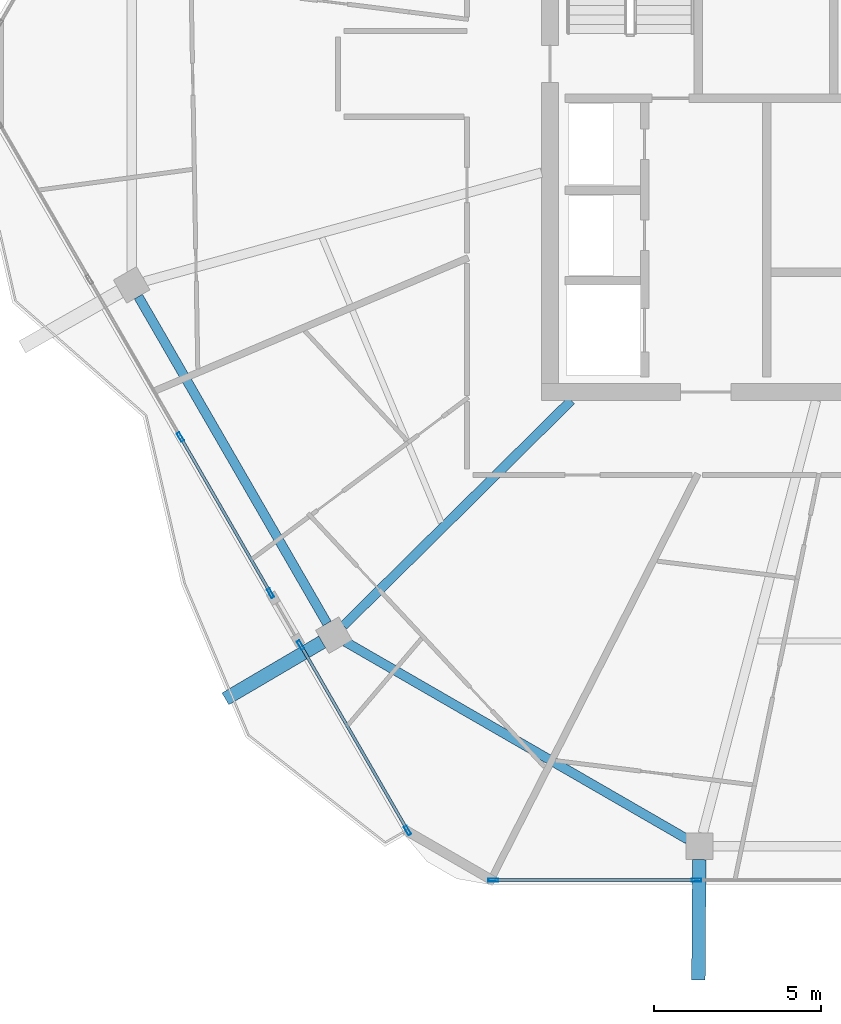
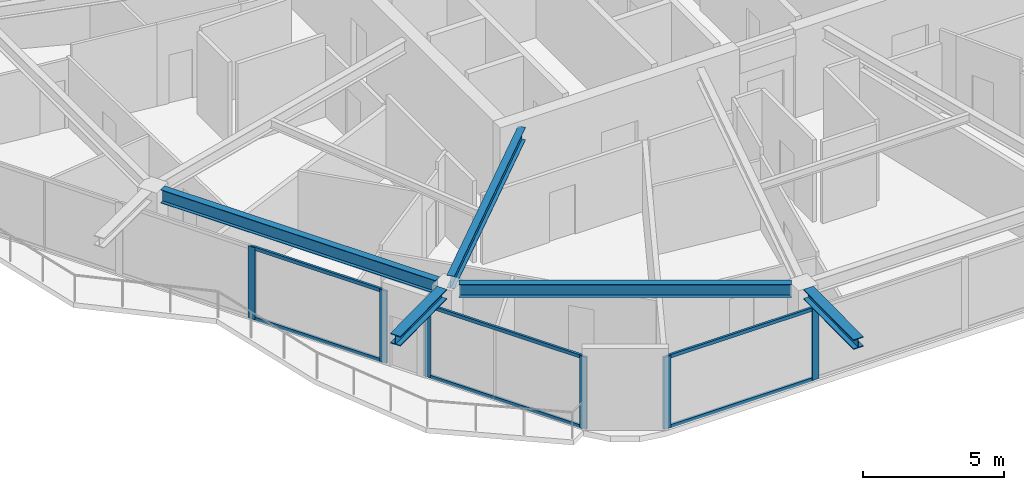
# One storey, part 2 of 21: 12 members, 5 beams, 3 elements without a shape of their own.
"""IFC4 building model written with IfcOpenShell, lengths in metres."""

from ifc_helpers import new_model, si_unit, direction, frame, origin, origin_2d, place, context, subcontext, project, spatial, hollow_rectangle, i_section, extrude, material, material_profile, profile_set, type_object, element, aggregate, save


model = new_model("IFC4")

# Units and contexts
model_context = context("Model", 3, precision=1e-05, world=origin(), true_north=direction((0.0, 1.0)))
body_context = subcontext(model_context, "Body", "Model", "MODEL_VIEW")
ifc_project = project(units=[si_unit("LENGTHUNIT", "METRE"), si_unit("AREAUNIT", "SQUARE_METRE"), si_unit("VOLUMEUNIT", "CUBIC_METRE"), si_unit("PLANEANGLEUNIT", "RADIAN"), si_unit("MASSUNIT", "GRAM", prefix="KILO")], contexts=[model_context])

# Site, building, storey
site_placement = place(None, origin())
site = spatial("IfcSite", under=ifc_project, at=site_placement, CompositionType="ELEMENT")
building_placement = place(site_placement, origin())
building = spatial("IfcBuilding", under=site, at=building_placement, Name="Zuhravey Tower", CompositionType="ELEMENT")
storey_placement = place(building_placement, frame((0.0, 0.0, 319.60009765625)))
storey = spatial("IfcBuildingStorey", under=building, at=storey_placement, Name="L81", CompositionType="ELEMENT", Elevation=319.60009765625)

# Curtain wall, members
ifc_material_1 = material(Name="Thermally broken anodised aluminium", Category="aluminium")
curtain_wall_type = type_object("IfcCurtainWallType", Name="Zone 3-4 High-Rise Curtain Wall CW4", PredefinedType="NOTDEFINED", material=ifc_material_1)
curtain_wall_1_placement = place(storey_placement, origin())
curtain_wall_1 = element("IfcCurtainWall", 1, at=curtain_wall_1_placement, inside=storey, type_object=curtain_wall_type, Name="L81 CW4 CW-L81-F5-1", PredefinedType="NOTDEFINED")
ifc_material_2 = material(Name="Anodised aluminium", Category="aluminium")
ifc_material_profile_1 = material_profile(ifc_material_2, hollow_rectangle(XDim=0.090087890625, YDim=0.284912109375, WallThickness=0.0048828125, at=origin_2d()), Name="ALU-RHS-90x285x5")
ifc_profile_set_1 = profile_set([ifc_material_profile_1], Name="Anodised aluminium")
member_type_1 = type_object("IfcMemberType", Name="Curtain-Wall Mullion 90x180", PredefinedType="MULLION", material=ifc_profile_set_1)
member_1_placement = place(storey_placement, frame((29.88037109375, 7.92578125, 0.0), z_axis=(0.0, 0.0, 1.0), x_axis=(0.0, -1.0, 0.0)))
member_1 = element("IfcMember", 2, at=member_1_placement, type_object=member_type_1, Name="CW4 mullion 4", PredefinedType="MULLION", context=body_context, shape_type="SweptSolid", body=[
    extrude(hollow_rectangle(XDim=0.090087890625, YDim=0.284912109375, WallThickness=0.0048828125, at=origin_2d()), origin(), (0.0, 0.0, 1.0), 3.121826171875),
])
member_2_placement = place(storey_placement, frame((23.8056640625, 7.92578125, 0.0), z_axis=(0.0, 0.0, 1.0), x_axis=(0.0, -1.0, 0.0)))
member_2 = element("IfcMember", 3, at=member_2_placement, type_object=member_type_1, Name="CW4 mullion 5", PredefinedType="MULLION", context=body_context, shape_type="SweptSolid", body=[
    extrude(hollow_rectangle(XDim=0.090087890625, YDim=0.284912109375, WallThickness=0.0048828125, at=origin_2d()), origin(), (0.0, 0.0, 1.0), 3.121826171875),
])

curtain_wall_2_placement = place(storey_placement, origin())
curtain_wall_2 = element("IfcCurtainWall", 4, at=curtain_wall_2_placement, inside=storey, type_object=curtain_wall_type, Name="L81 CW4 CW-L81-F4-1", PredefinedType="NOTDEFINED")
member_3_placement = place(storey_placement, frame((21.248291015625, 9.40234375, 0.0), z_axis=(0.0, 0.0, 1.0), x_axis=(-0.866025621235, -0.499999623365, 0.0)))
member_3 = element("IfcMember", 5, at=member_3_placement, type_object=member_type_1, Name="CW4 mullion 1", PredefinedType="MULLION", context=body_context, shape_type="SweptSolid", body=[
    extrude(hollow_rectangle(XDim=0.090087890625, YDim=0.284912109375, WallThickness=0.0048828125, at=origin_2d()), origin(), (0.0, 0.0, 1.0), 3.121826171875),
])
member_4_placement = place(storey_placement, frame((18.050537109375, 14.941162109375, 0.0), z_axis=(0.0, 0.0, 1.0), x_axis=(-0.866025621235, -0.499999623365, 0.0)))
member_4 = element("IfcMember", 6, at=member_4_placement, type_object=member_type_1, Name="CW4 mullion 2", PredefinedType="MULLION", context=body_context, shape_type="SweptSolid", body=[
    extrude(hollow_rectangle(XDim=0.090087890625, YDim=0.284912109375, WallThickness=0.0048828125, at=origin_2d()), origin(), (0.0, 0.0, 1.0), 3.121826171875),
])

curtain_wall_3_placement = place(storey_placement, origin())
curtain_wall_3 = element("IfcCurtainWall", 7, at=curtain_wall_3_placement, inside=storey, type_object=curtain_wall_type, Name="L81 CW4 CW-L81-F4-2", PredefinedType="NOTDEFINED")
member_5_placement = place(storey_placement, frame((17.155517578125, 16.4912109375, 0.0), z_axis=(0.0, 0.0, 1.0), x_axis=(-0.86602614177, -0.49999872177, 0.0)))
member_5 = element("IfcMember", 8, at=member_5_placement, type_object=member_type_1, Name="CW4 mullion 1", PredefinedType="MULLION", context=body_context, shape_type="SweptSolid", body=[
    extrude(hollow_rectangle(XDim=0.090087890625, YDim=0.284912109375, WallThickness=0.0048828125, at=origin_2d()), origin(), (0.0, 0.0, 1.0), 3.121826171875),
])
member_6_placement = place(storey_placement, frame((14.462646484375, 21.15576171875, 0.0), z_axis=(0.0, 0.0, 1.0), x_axis=(-0.86602614177, -0.49999872177, 0.0)))
member_6 = element("IfcMember", 9, at=member_6_placement, type_object=member_type_1, Name="CW4 mullion 2", PredefinedType="MULLION", context=body_context, shape_type="SweptSolid", body=[
    extrude(hollow_rectangle(XDim=0.090087890625, YDim=0.284912109375, WallThickness=0.0048828125, at=origin_2d()), origin(), (0.0, 0.0, 1.0), 3.121826171875),
])

# Member
ifc_material_profile_2 = material_profile(ifc_material_2, hollow_rectangle(XDim=0.090087890625, YDim=0.14990234375, WallThickness=0.0048828125, at=origin_2d()), Name="ALU-RHS-90x150x5")
ifc_profile_set_2 = profile_set([ifc_material_profile_2], Name="Anodised aluminium")
member_type_2 = type_object("IfcMemberType", Name="Curtain-Wall Transom 90x150", PredefinedType="USERDEFINED", material=ifc_profile_set_2)
member_7_placement = place(storey_placement, frame((29.83544921875, 7.92578125, 0.044921875), z_axis=(-1.0, 0.0, 0.0), x_axis=(0.0, -1.0, 0.0)))
member_7 = element("IfcMember", 10, at=member_7_placement, type_object=member_type_2, Name="CW4 transom 4.1", ObjectType="TRANSOM", PredefinedType="USERDEFINED", context=body_context, shape_type="SweptSolid", body=[
    extrude(hollow_rectangle(XDim=0.090087890625, YDim=0.14990234375, WallThickness=0.0048828125, at=origin_2d()), origin(), (0.0, 0.0, 1.0), 5.98486328125),
])

member_8_placement = place(storey_placement, frame((29.83544921875, 7.92578125, 3.076904296875), z_axis=(-1.0, 0.0, 0.0), x_axis=(0.0, -1.0, 0.0)))
member_8 = element("IfcMember", 11, at=member_8_placement, type_object=member_type_2, Name="CW4 transom 4.2", ObjectType="TRANSOM", PredefinedType="USERDEFINED", context=body_context, shape_type="SweptSolid", body=[
    extrude(hollow_rectangle(XDim=0.090087890625, YDim=0.14990234375, WallThickness=0.0048828125, at=origin_2d()), origin(), (0.0, 0.0, 1.0), 5.98486328125),
])

aggregate(curtain_wall_1, [member_1, member_2, member_7, member_8])

member_9_placement = place(storey_placement, frame((21.225830078125, 9.44140625, 0.044921875), z_axis=(-0.500011805125, 0.866018587985, 0.0), x_axis=(-0.866018587985, -0.500011805125, 0.0)))
member_9 = element("IfcMember", 12, at=member_9_placement, type_object=member_type_2, Name="CW4 transom 1.1", ObjectType="TRANSOM", PredefinedType="USERDEFINED", context=body_context, shape_type="SweptSolid", body=[
    extrude(hollow_rectangle(XDim=0.090087890625, YDim=0.14990234375, WallThickness=0.0048828125, at=origin_2d()), origin(), (0.0, 0.0, 1.0), 6.305419921875),
])

member_10_placement = place(storey_placement, frame((21.225830078125, 9.44140625, 3.076904296875), z_axis=(-0.500011805125, 0.866018587985, 0.0), x_axis=(-0.866018587985, -0.500011805125, 0.0)))
member_10 = element("IfcMember", 13, at=member_10_placement, type_object=member_type_2, Name="CW4 transom 1.2", ObjectType="TRANSOM", PredefinedType="USERDEFINED", context=body_context, shape_type="SweptSolid", body=[
    extrude(hollow_rectangle(XDim=0.090087890625, YDim=0.14990234375, WallThickness=0.0048828125, at=origin_2d()), origin(), (0.0, 0.0, 1.0), 6.305419921875),
])

aggregate(curtain_wall_2, [member_3, member_4, member_9, member_10])

member_11_placement = place(storey_placement, frame((17.133056640625, 16.5302734375, 0.044921875), z_axis=(-0.499996467947, 0.866027443007, 0.0), x_axis=(-0.866027443007, -0.499996467947, 0.0)))
member_11 = element("IfcMember", 14, at=member_11_placement, type_object=member_type_2, Name="CW4 transom 1.1", ObjectType="TRANSOM", PredefinedType="USERDEFINED", context=body_context, shape_type="SweptSolid", body=[
    extrude(hollow_rectangle(XDim=0.090087890625, YDim=0.14990234375, WallThickness=0.0048828125, at=origin_2d()), origin(), (0.0, 0.0, 1.0), 5.2958984375),
])

member_12_placement = place(storey_placement, frame((17.133056640625, 16.5302734375, 3.076904296875), z_axis=(-0.499996467947, 0.866027443007, 0.0), x_axis=(-0.866027443007, -0.499996467947, 0.0)))
member_12 = element("IfcMember", 15, at=member_12_placement, type_object=member_type_2, Name="CW4 transom 1.2", ObjectType="TRANSOM", PredefinedType="USERDEFINED", context=body_context, shape_type="SweptSolid", body=[
    extrude(hollow_rectangle(XDim=0.090087890625, YDim=0.14990234375, WallThickness=0.0048828125, at=origin_2d()), origin(), (0.0, 0.0, 1.0), 5.2958984375),
])

aggregate(curtain_wall_3, [member_5, member_6, member_11, member_12])

# Beams
ifc_material_3 = material(Name="Steel SM460", Category="steel")
ifc_material_profile_3 = material_profile(ifc_material_3, i_section(OverallWidth=0.406982421875, OverallDepth=0.427978515625, WebThickness=0.02001953125, FlangeThickness=0.034912109375, at=origin_2d()), Name="H-428x407x20x35")
ifc_profile_set_3 = profile_set([ifc_material_profile_3], Name="Steel SM460")
beam_type_1 = type_object("IfcBeamType", Name="Exoskeleton Node Tie Beam H428x407", PredefinedType="BEAM", material=ifc_profile_set_3)
beam_1_placement = place(storey_placement, frame((18.697021484375, 15.03369140625, 3.3359375), z_axis=(-0.862181316244, -0.506599820292, 0.0), x_axis=(0.506599820292, -0.862181316244, 0.0)))
element("IfcBeam", 16, at=beam_1_placement, inside=storey, type_object=beam_type_1, Name="L81 Exoskeleton Node Tie NT1-08", PredefinedType="BEAM", context=body_context, shape_type="SweptSolid", body=[
    extrude(i_section(OverallWidth=0.406982421875, OverallDepth=0.427978515625, WebThickness=0.02001953125, FlangeThickness=0.034912109375, at=origin_2d()), origin(), (0.0, 0.0, 1.0), 3.351318359375),
])
beam_2_placement = place(storey_placement, frame((29.95849609375, 8.531982421875, 3.3359375), z_axis=(-0.007206285107, -0.99997403439, 0.0), x_axis=(0.99997403439, -0.007206285107, 0.0)))
element("IfcBeam", 17, at=beam_2_placement, inside=storey, type_object=beam_type_1, Name="L81 Exoskeleton Node Tie NT1-09", PredefinedType="BEAM", context=body_context, shape_type="SweptSolid", body=[
    extrude(i_section(OverallWidth=0.406982421875, OverallDepth=0.427978515625, WebThickness=0.02001953125, FlangeThickness=0.034912109375, at=origin_2d()), origin(), (0.0, 0.0, 1.0), 3.591064453125),
])
ifc_material_4 = material(Name="Steel SM355", Category="steel")
ifc_material_profile_4 = material_profile(ifc_material_4, i_section(OverallWidth=0.280029296875, OverallDepth=0.580078125, WebThickness=0.011962890625, FlangeThickness=0.01904296875, at=origin_2d()), Name="H-580x280x12x19")
ifc_profile_set_4 = profile_set([ifc_material_profile_4], Name="Steel SM355")
beam_type_2 = type_object("IfcBeamType", Name="Perimeter Ring Beam H580x280", PredefinedType="BEAM", material=ifc_profile_set_4)
beam_3_placement = place(storey_placement, frame((13.2080078125, 25.3486328125, 3.260009765625), z_axis=(0.500006198144, -0.866021825255, 0.0), x_axis=(0.866021825255, 0.500006198144, 0.0)))
element("IfcBeam", 18, at=beam_3_placement, inside=storey, type_object=beam_type_2, Name="L81 PB4 BM-L81-PB-07", PredefinedType="BEAM", context=body_context, shape_type="SweptSolid", body=[
    extrude(i_section(OverallWidth=0.280029296875, OverallDepth=0.580078125, WebThickness=0.011962890625, FlangeThickness=0.01904296875, at=origin_2d()), origin(), (0.0, 0.0, 1.0), 11.271240234375),
])
beam_4_placement = place(storey_placement, frame((19.394287109375, 15.036865234375, 3.260009765625), z_axis=(0.866023977509, -0.500002470373, 0.0), x_axis=(0.500002470373, 0.866023977509, 0.0)))
element("IfcBeam", 19, at=beam_4_placement, inside=storey, type_object=beam_type_2, Name="L81 PB4 BM-L81-PB-08", PredefinedType="BEAM", context=body_context, shape_type="SweptSolid", body=[
    extrude(i_section(OverallWidth=0.280029296875, OverallDepth=0.580078125, WebThickness=0.011962890625, FlangeThickness=0.01904296875, at=origin_2d()), origin(), (0.0, 0.0, 1.0), 11.798828125),
])
ifc_material_profile_5 = material_profile(ifc_material_4, i_section(OverallWidth=0.280029296875, OverallDepth=0.550048828125, WebThickness=0.010986328125, FlangeThickness=0.01806640625, at=origin_2d()), Name="H-550x280x11x18")
ifc_profile_set_5 = profile_set([ifc_material_profile_5], Name="Steel SM355")
beam_type_3 = type_object("IfcBeamType", Name="Radial Primary Girder H550x280", PredefinedType="BEAM", material=ifc_profile_set_5)
beam_5_placement = place(storey_placement, frame((26.134765625, 22.2470703125, 3.27490234375), z_axis=(-0.711153035666, -0.703037239314, 0.0), x_axis=(0.703037239314, -0.711153035666, 0.0)))
element("IfcBeam", 20, at=beam_5_placement, inside=storey, type_object=beam_type_3, Name="L81 RG4 BM-L81-RAD-08", PredefinedType="BEAM", context=body_context, shape_type="SweptSolid", body=[
    extrude(i_section(OverallWidth=0.280029296875, OverallDepth=0.550048828125, WebThickness=0.010986328125, FlangeThickness=0.01806640625, at=origin_2d()), origin(), (0.0, 0.0, 1.0), 9.566162109375),
])

save(model, "model.ifc")
